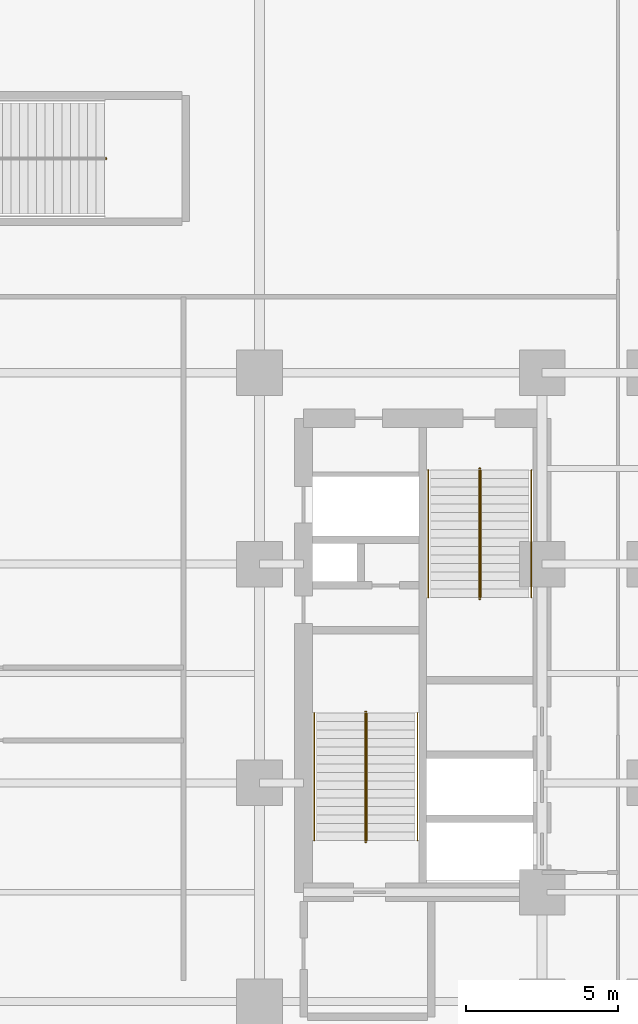
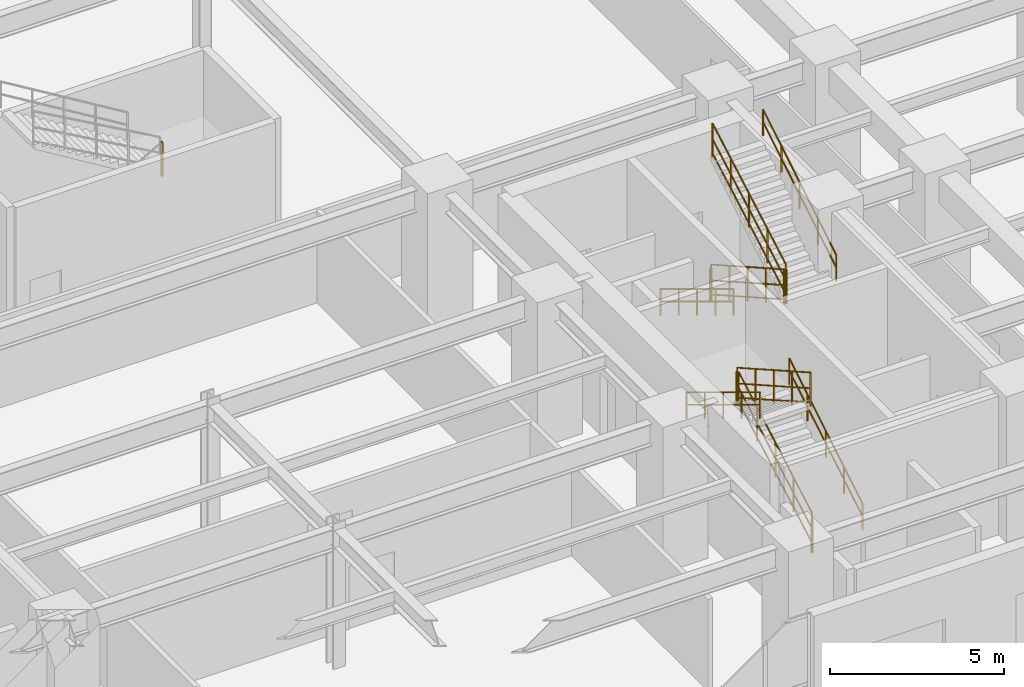
# One storey, part 22 of 23: 13 railings.
"""IFC4 building model written with IfcOpenShell, lengths in metres."""

from ifc_helpers import new_model, entity, si_unit, converted_unit, direction, frame, origin_with_axes, origin_2d_with_axis, place, context, subcontext, project, spatial, rectangle, circle, extrude, material, type_object, element, save


model = new_model("IFC4")

# Units and contexts
model_context = context("Model", 3, precision=1e-05, world=origin_with_axes(), true_north=direction((0.0, 1.0)))
body_context = subcontext(model_context, "Body", "Model", "MODEL_VIEW")
ifc_project = project(units=[si_unit("LENGTHUNIT", "METRE"), si_unit("AREAUNIT", "SQUARE_METRE"), si_unit("VOLUMEUNIT", "CUBIC_METRE"), converted_unit("PLANEANGLEUNIT", "DEGREE", entity("IfcPlaneAngleMeasure", 0.017453292519943295), si_unit("PLANEANGLEUNIT", "RADIAN"), dimensions=[0, 0, 0, 0, 0, 0, 0]), si_unit("MASSUNIT", "GRAM", prefix="KILO"), si_unit("THERMODYNAMICTEMPERATUREUNIT", "KELVIN")], contexts=[model_context])

# Site, building, storey
site_placement = place(None, origin_with_axes())
site = spatial("IfcSite", under=ifc_project, at=site_placement, CompositionType="ELEMENT")
building_placement = place(site_placement, origin_with_axes())
building = spatial("IfcBuilding", under=site, at=building_placement, Name="Varnlund Millrace Tower", CompositionType="ELEMENT")
storey_placement = place(building_placement, frame((0.0, 0.0, 5.7), z_axis=(0.0, 0.0, 1.0), x_axis=(1.0, 0.0, 0.0)))
storey = spatial("IfcBuildingStorey", under=building, at=storey_placement, Name="L01", CompositionType="ELEMENT", Elevation=5.7)

# Railings
ifc_material_1 = material(Name="Painted steel stair well balustrade guard", Category="steel")
railing_type_1 = type_object("IfcRailingType", Name="Type-StairGuard-1150", PredefinedType="GUARDRAIL", material=ifc_material_1)
railing_1_placement = place(storey_placement, frame((0.0, 0.0, -5.7), z_axis=(0.0, 0.0, 1.0), x_axis=(1.0, 0.0, 0.0)))
element("IfcRailing", 1, at=railing_1_placement, inside=storey, type_object=railing_type_1, Name="Type-StairGuard-1150", PredefinedType="GUARDRAIL", context=body_context, shape_type="SweptSolid", body=[
    extrude(circle(Radius=0.024, at=origin_2d_with_axis()), frame((42.275, 8.9, 7.02), z_axis=(0.0, 0.870022, 0.493013), x_axis=(-1.0, 0.0, 0.0)), (0.0, 0.0, 1.0), 4.827463),
    extrude(circle(Radius=0.024, at=origin_2d_with_axis()), frame((42.275, 8.9, 5.97), z_axis=(0.0, 0.870022, 0.493013), x_axis=(-1.0, 0.0, 0.0)), (0.0, 0.0, 1.0), 4.827463),
    extrude(circle(Radius=0.024, at=origin_2d_with_axis()), frame((42.275, 8.9, 6.468), z_axis=(0.0, 0.870022, 0.493013), x_axis=(-1.0, 0.0, 0.0)), (0.0, 0.0, 1.0), 4.827463),
    extrude(rectangle(XDim=0.04, YDim=0.04, at=origin_2d_with_axis()), frame((42.275, 8.9, 5.83), z_axis=(0.0, 0.0, 1.0), x_axis=(1.0, 0.0, 0.0)), (0.0, 0.0, 1.0), 1.19),
    extrude(rectangle(XDim=0.04, YDim=0.04, at=origin_2d_with_axis()), frame((42.275, 9.95, 6.425), z_axis=(0.0, 0.0, 1.0), x_axis=(1.0, 0.0, 0.0)), (0.0, 0.0, 1.0), 1.19),
    extrude(rectangle(XDim=0.04, YDim=0.04, at=origin_2d_with_axis()), frame((42.275, 11.0, 7.02), z_axis=(0.0, 0.0, 1.0), x_axis=(1.0, 0.0, 0.0)), (0.0, 0.0, 1.0), 1.19),
    extrude(rectangle(XDim=0.04, YDim=0.04, at=origin_2d_with_axis()), frame((42.275, 12.05, 7.615), z_axis=(0.0, 0.0, 1.0), x_axis=(1.0, 0.0, 0.0)), (0.0, 0.0, 1.0), 1.19),
    extrude(rectangle(XDim=0.04, YDim=0.04, at=origin_2d_with_axis()), frame((42.275, 13.1, 8.21), z_axis=(0.0, 0.0, 1.0), x_axis=(1.0, 0.0, 0.0)), (0.0, 0.0, 1.0), 1.19),
])
railing_2_placement = place(storey_placement, frame((0.0, 0.0, -5.7), z_axis=(0.0, 0.0, 1.0), x_axis=(1.0, 0.0, 0.0)))
element("IfcRailing", 2, at=railing_2_placement, inside=storey, type_object=railing_type_1, Name="Type-StairGuard-1150", PredefinedType="GUARDRAIL", context=body_context, shape_type="SweptSolid", body=[
    extrude(circle(Radius=0.024, at=origin_2d_with_axis()), frame((42.225, 13.15, 9.4), z_axis=(1.0, 0.0, 0.0), x_axis=(0.0, 1.0, 0.0)), (0.0, 0.0, 1.0), 0.05),
    extrude(circle(Radius=0.024, at=origin_2d_with_axis()), frame((42.225, 13.15, 8.35), z_axis=(1.0, 0.0, 0.0), x_axis=(0.0, 1.0, 0.0)), (0.0, 0.0, 1.0), 0.05),
    extrude(circle(Radius=0.024, at=origin_2d_with_axis()), frame((42.225, 13.15, 8.848), z_axis=(1.0, 0.0, 0.0), x_axis=(0.0, 1.0, 0.0)), (0.0, 0.0, 1.0), 0.05),
    extrude(rectangle(XDim=0.04, YDim=0.04, at=origin_2d_with_axis()), frame((42.225, 13.15, 8.21), z_axis=(0.0, 0.0, 1.0), x_axis=(1.0, 0.0, 0.0)), (0.0, 0.0, 1.0), 1.19),
    extrude(rectangle(XDim=0.04, YDim=0.04, at=origin_2d_with_axis()), frame((42.275, 13.15, 8.21), z_axis=(0.0, 0.0, 1.0), x_axis=(1.0, 0.0, 0.0)), (0.0, 0.0, 1.0), 1.19),
])
railing_3_placement = place(storey_placement, frame((0.0, 0.0, -5.7), z_axis=(0.0, 0.0, 1.0), x_axis=(1.0, 0.0, 0.0)))
element("IfcRailing", 3, at=railing_3_placement, inside=storey, type_object=railing_type_1, Name="Type-StairGuard-1150", PredefinedType="GUARDRAIL", context=body_context, shape_type="SweptSolid", body=[
    extrude(circle(Radius=0.024, at=origin_2d_with_axis()), frame((42.225, 13.1, 9.57), z_axis=(0.0, -0.870022, 0.493013), x_axis=(1.0, 0.0, 0.0)), (0.0, 0.0, 1.0), 4.827463),
    extrude(circle(Radius=0.024, at=origin_2d_with_axis()), frame((42.225, 13.1, 8.52), z_axis=(0.0, -0.870022, 0.493013), x_axis=(1.0, 0.0, 0.0)), (0.0, 0.0, 1.0), 4.827463),
    extrude(circle(Radius=0.024, at=origin_2d_with_axis()), frame((42.225, 13.1, 9.018), z_axis=(0.0, -0.870022, 0.493013), x_axis=(1.0, 0.0, 0.0)), (0.0, 0.0, 1.0), 4.827463),
    extrude(rectangle(XDim=0.04, YDim=0.04, at=origin_2d_with_axis()), frame((42.225, 13.1, 8.38), z_axis=(0.0, 0.0, 1.0), x_axis=(1.0, 0.0, 0.0)), (0.0, 0.0, 1.0), 1.19),
    extrude(rectangle(XDim=0.04, YDim=0.04, at=origin_2d_with_axis()), frame((42.225, 12.05, 8.975), z_axis=(0.0, 0.0, 1.0), x_axis=(1.0, 0.0, 0.0)), (0.0, 0.0, 1.0), 1.19),
    extrude(rectangle(XDim=0.04, YDim=0.04, at=origin_2d_with_axis()), frame((42.225, 11.0, 9.57), z_axis=(0.0, 0.0, 1.0), x_axis=(1.0, 0.0, 0.0)), (0.0, 0.0, 1.0), 1.19),
    extrude(rectangle(XDim=0.04, YDim=0.04, at=origin_2d_with_axis()), frame((42.225, 9.95, 10.165), z_axis=(0.0, 0.0, 1.0), x_axis=(1.0, 0.0, 0.0)), (0.0, 0.0, 1.0), 1.19),
    extrude(rectangle(XDim=0.04, YDim=0.04, at=origin_2d_with_axis()), frame((42.225, 8.9, 10.76), z_axis=(0.0, 0.0, 1.0), x_axis=(1.0, 0.0, 0.0)), (0.0, 0.0, 1.0), 1.19),
])
railing_4_placement = place(storey_placement, frame((0.0, 0.0, -5.7), z_axis=(0.0, 0.0, 1.0), x_axis=(1.0, 0.0, 0.0)))
element("IfcRailing", 4, at=railing_4_placement, inside=storey, type_object=railing_type_1, Name="Type-StairGuard-1150", PredefinedType="GUARDRAIL", context=body_context, shape_type="SweptSolid", body=[
    extrude(circle(Radius=0.024, at=origin_2d_with_axis()), frame((42.225, 8.85, 6.85), z_axis=(1.0, 0.0, 0.0), x_axis=(0.0, 1.0, 0.0)), (0.0, 0.0, 1.0), 0.05),
    extrude(circle(Radius=0.024, at=origin_2d_with_axis()), frame((42.225, 8.85, 5.8), z_axis=(1.0, 0.0, 0.0), x_axis=(0.0, 1.0, 0.0)), (0.0, 0.0, 1.0), 0.05),
    extrude(circle(Radius=0.024, at=origin_2d_with_axis()), frame((42.225, 8.85, 6.298), z_axis=(1.0, 0.0, 0.0), x_axis=(0.0, 1.0, 0.0)), (0.0, 0.0, 1.0), 0.05),
    extrude(rectangle(XDim=0.04, YDim=0.04, at=origin_2d_with_axis()), frame((42.225, 8.85, 5.66), z_axis=(0.0, 0.0, 1.0), x_axis=(1.0, 0.0, 0.0)), (0.0, 0.0, 1.0), 1.19),
    extrude(rectangle(XDim=0.04, YDim=0.04, at=origin_2d_with_axis()), frame((42.275, 8.85, 5.66), z_axis=(0.0, 0.0, 1.0), x_axis=(1.0, 0.0, 0.0)), (0.0, 0.0, 1.0), 1.19),
])
railing_5_placement = place(storey_placement, frame((0.0, 0.0, -5.7), z_axis=(0.0, 0.0, 1.0), x_axis=(1.0, 0.0, 0.0)))
element("IfcRailing", 5, at=railing_5_placement, inside=storey, type_object=railing_type_1, Name="Type-StairGuard-1150", PredefinedType="GUARDRAIL", context=body_context, shape_type="SweptSolid", body=[
    extrude(circle(Radius=0.024, at=origin_2d_with_axis()), frame((45.975, 21.1, 7.02), z_axis=(0.0, -0.870022, 0.493013), x_axis=(1.0, 0.0, 0.0)), (0.0, 0.0, 1.0), 4.827463),
    extrude(circle(Radius=0.024, at=origin_2d_with_axis()), frame((45.975, 21.1, 5.97), z_axis=(0.0, -0.870022, 0.493013), x_axis=(1.0, 0.0, 0.0)), (0.0, 0.0, 1.0), 4.827463),
    extrude(circle(Radius=0.024, at=origin_2d_with_axis()), frame((45.975, 21.1, 6.468), z_axis=(0.0, -0.870022, 0.493013), x_axis=(1.0, 0.0, 0.0)), (0.0, 0.0, 1.0), 4.827463),
    extrude(rectangle(XDim=0.04, YDim=0.04, at=origin_2d_with_axis()), frame((45.975, 21.1, 5.83), z_axis=(0.0, 0.0, 1.0), x_axis=(1.0, 0.0, 0.0)), (0.0, 0.0, 1.0), 1.19),
    extrude(rectangle(XDim=0.04, YDim=0.04, at=origin_2d_with_axis()), frame((45.975, 20.05, 6.425), z_axis=(0.0, 0.0, 1.0), x_axis=(1.0, 0.0, 0.0)), (0.0, 0.0, 1.0), 1.19),
    extrude(rectangle(XDim=0.04, YDim=0.04, at=origin_2d_with_axis()), frame((45.975, 19.0, 7.02), z_axis=(0.0, 0.0, 1.0), x_axis=(1.0, 0.0, 0.0)), (0.0, 0.0, 1.0), 1.19),
    extrude(rectangle(XDim=0.04, YDim=0.04, at=origin_2d_with_axis()), frame((45.975, 17.95, 7.615), z_axis=(0.0, 0.0, 1.0), x_axis=(1.0, 0.0, 0.0)), (0.0, 0.0, 1.0), 1.19),
    extrude(rectangle(XDim=0.04, YDim=0.04, at=origin_2d_with_axis()), frame((45.975, 16.9, 8.21), z_axis=(0.0, 0.0, 1.0), x_axis=(1.0, 0.0, 0.0)), (0.0, 0.0, 1.0), 1.19),
])
railing_6_placement = place(storey_placement, frame((0.0, 0.0, -5.7), z_axis=(0.0, 0.0, 1.0), x_axis=(1.0, 0.0, 0.0)))
element("IfcRailing", 6, at=railing_6_placement, inside=storey, type_object=railing_type_1, Name="Type-StairGuard-1150", PredefinedType="GUARDRAIL", context=body_context, shape_type="SweptSolid", body=[
    extrude(circle(Radius=0.024, at=origin_2d_with_axis()), frame((46.025, 16.85, 9.4), z_axis=(-1.0, 0.0, 0.0), x_axis=(0.0, -1.0, 0.0)), (0.0, 0.0, 1.0), 0.05),
    extrude(circle(Radius=0.024, at=origin_2d_with_axis()), frame((46.025, 16.85, 8.35), z_axis=(-1.0, 0.0, 0.0), x_axis=(0.0, -1.0, 0.0)), (0.0, 0.0, 1.0), 0.05),
    extrude(circle(Radius=0.024, at=origin_2d_with_axis()), frame((46.025, 16.85, 8.848), z_axis=(-1.0, 0.0, 0.0), x_axis=(0.0, -1.0, 0.0)), (0.0, 0.0, 1.0), 0.05),
    extrude(rectangle(XDim=0.04, YDim=0.04, at=origin_2d_with_axis()), frame((46.025, 16.85, 8.21), z_axis=(0.0, 0.0, 1.0), x_axis=(1.0, 0.0, 0.0)), (0.0, 0.0, 1.0), 1.19),
    extrude(rectangle(XDim=0.04, YDim=0.04, at=origin_2d_with_axis()), frame((45.975, 16.85, 8.21), z_axis=(0.0, 0.0, 1.0), x_axis=(1.0, 0.0, 0.0)), (0.0, 0.0, 1.0), 1.19),
])
railing_7_placement = place(storey_placement, frame((0.0, 0.0, -5.7), z_axis=(0.0, 0.0, 1.0), x_axis=(1.0, 0.0, 0.0)))
element("IfcRailing", 7, at=railing_7_placement, inside=storey, type_object=railing_type_1, Name="Type-StairGuard-1150", PredefinedType="GUARDRAIL", context=body_context, shape_type="SweptSolid", body=[
    extrude(circle(Radius=0.024, at=origin_2d_with_axis()), frame((46.025, 16.9, 9.57), z_axis=(0.0, 0.870022, 0.493013), x_axis=(-1.0, 0.0, 0.0)), (0.0, 0.0, 1.0), 4.827463),
    extrude(circle(Radius=0.024, at=origin_2d_with_axis()), frame((46.025, 16.9, 8.52), z_axis=(0.0, 0.870022, 0.493013), x_axis=(-1.0, 0.0, 0.0)), (0.0, 0.0, 1.0), 4.827463),
    extrude(circle(Radius=0.024, at=origin_2d_with_axis()), frame((46.025, 16.9, 9.018), z_axis=(0.0, 0.870022, 0.493013), x_axis=(-1.0, 0.0, 0.0)), (0.0, 0.0, 1.0), 4.827463),
    extrude(rectangle(XDim=0.04, YDim=0.04, at=origin_2d_with_axis()), frame((46.025, 16.9, 8.38), z_axis=(0.0, 0.0, 1.0), x_axis=(1.0, 0.0, 0.0)), (0.0, 0.0, 1.0), 1.19),
    extrude(rectangle(XDim=0.04, YDim=0.04, at=origin_2d_with_axis()), frame((46.025, 17.95, 8.975), z_axis=(0.0, 0.0, 1.0), x_axis=(1.0, 0.0, 0.0)), (0.0, 0.0, 1.0), 1.19),
    extrude(rectangle(XDim=0.04, YDim=0.04, at=origin_2d_with_axis()), frame((46.025, 19.0, 9.57), z_axis=(0.0, 0.0, 1.0), x_axis=(1.0, 0.0, 0.0)), (0.0, 0.0, 1.0), 1.19),
    extrude(rectangle(XDim=0.04, YDim=0.04, at=origin_2d_with_axis()), frame((46.025, 20.05, 10.165), z_axis=(0.0, 0.0, 1.0), x_axis=(1.0, 0.0, 0.0)), (0.0, 0.0, 1.0), 1.19),
    extrude(rectangle(XDim=0.04, YDim=0.04, at=origin_2d_with_axis()), frame((46.025, 21.1, 10.76), z_axis=(0.0, 0.0, 1.0), x_axis=(1.0, 0.0, 0.0)), (0.0, 0.0, 1.0), 1.19),
])
railing_8_placement = place(storey_placement, frame((0.0, 0.0, -5.7), z_axis=(0.0, 0.0, 1.0), x_axis=(1.0, 0.0, 0.0)))
element("IfcRailing", 8, at=railing_8_placement, inside=storey, type_object=railing_type_1, Name="Type-StairGuard-1150", PredefinedType="GUARDRAIL", context=body_context, shape_type="SweptSolid", body=[
    extrude(circle(Radius=0.024, at=origin_2d_with_axis()), frame((46.025, 21.15, 6.85), z_axis=(-1.0, 0.0, 0.0), x_axis=(0.0, -1.0, 0.0)), (0.0, 0.0, 1.0), 0.05),
    extrude(circle(Radius=0.024, at=origin_2d_with_axis()), frame((46.025, 21.15, 5.8), z_axis=(-1.0, 0.0, 0.0), x_axis=(0.0, -1.0, 0.0)), (0.0, 0.0, 1.0), 0.05),
    extrude(circle(Radius=0.024, at=origin_2d_with_axis()), frame((46.025, 21.15, 6.298), z_axis=(-1.0, 0.0, 0.0), x_axis=(0.0, -1.0, 0.0)), (0.0, 0.0, 1.0), 0.05),
    extrude(rectangle(XDim=0.04, YDim=0.04, at=origin_2d_with_axis()), frame((46.025, 21.15, 5.66), z_axis=(0.0, 0.0, 1.0), x_axis=(1.0, 0.0, 0.0)), (0.0, 0.0, 1.0), 1.19),
    extrude(rectangle(XDim=0.04, YDim=0.04, at=origin_2d_with_axis()), frame((45.975, 21.15, 5.66), z_axis=(0.0, 0.0, 1.0), x_axis=(1.0, 0.0, 0.0)), (0.0, 0.0, 1.0), 1.19),
])
railing_9_placement = place(storey_placement, frame((0.0, 0.0, -5.7), z_axis=(0.0, 0.0, 1.0), x_axis=(1.0, 0.0, 0.0)))
element("IfcRailing", 9, at=railing_9_placement, inside=storey, type_object=railing_type_1, Name="Type-StairGuard-1150", PredefinedType="GUARDRAIL", context=body_context, shape_type="SweptSolid", body=[
    extrude(circle(Radius=0.024, at=origin_2d_with_axis()), frame((33.7, 31.375, 9.4), z_axis=(0.0, -1.0, 0.0), x_axis=(1.0, 0.0, 0.0)), (0.0, 0.0, 1.0), 0.05),
    extrude(circle(Radius=0.024, at=origin_2d_with_axis()), frame((33.7, 31.375, 8.35), z_axis=(0.0, -1.0, 0.0), x_axis=(1.0, 0.0, 0.0)), (0.0, 0.0, 1.0), 0.05),
    extrude(circle(Radius=0.024, at=origin_2d_with_axis()), frame((33.7, 31.375, 8.848), z_axis=(0.0, -1.0, 0.0), x_axis=(1.0, 0.0, 0.0)), (0.0, 0.0, 1.0), 0.05),
    extrude(rectangle(XDim=0.04, YDim=0.04, at=origin_2d_with_axis()), frame((33.7, 31.375, 8.21), z_axis=(0.0, 0.0, 1.0), x_axis=(1.0, 0.0, 0.0)), (0.0, 0.0, 1.0), 1.19),
    extrude(rectangle(XDim=0.04, YDim=0.04, at=origin_2d_with_axis()), frame((33.7, 31.325, 8.21), z_axis=(0.0, 0.0, 1.0), x_axis=(1.0, 0.0, 0.0)), (0.0, 0.0, 1.0), 1.19),
])
ifc_material_2 = material(Name="Brushed architectural bronze stair handrail", Category="aluminium")
railing_type_2 = type_object("IfcRailingType", Name="Type-StairHandrail-900", PredefinedType="HANDRAIL", material=ifc_material_2)
railing_10_placement = place(storey_placement, frame((0.0, 0.0, -5.7), z_axis=(0.0, 0.0, 1.0), x_axis=(1.0, 0.0, 0.0)))
element("IfcRailing", 10, at=railing_10_placement, inside=storey, type_object=railing_type_2, Name="Type-StairHandrail-900", PredefinedType="HANDRAIL", context=body_context, shape_type="SweptSolid", body=[
    extrude(circle(Radius=0.024, at=origin_2d_with_axis()), frame((43.95, 8.9, 6.749485), z_axis=(0.0, 0.854788, 0.518978), x_axis=(-1.0, 0.0, 0.0)), (0.0, 0.0, 1.0), 4.913502),
    extrude(circle(Radius=0.024, at=origin_2d_with_axis()), frame((43.95, 8.9, 6.309743), z_axis=(0.0, 0.854788, 0.518978), x_axis=(-1.0, 0.0, 0.0)), (0.0, 0.0, 1.0), 4.913502),
    extrude(rectangle(XDim=0.04, YDim=0.04, at=origin_2d_with_axis()), frame((43.95, 8.9, 5.83), z_axis=(0.0, 0.0, 1.0), x_axis=(1.0, 0.0, 0.0)), (0.0, 0.0, 1.0), 0.919485),
    extrude(rectangle(XDim=0.04, YDim=0.04, at=origin_2d_with_axis()), frame((43.95, 9.95, 6.4675), z_axis=(0.0, 0.0, 1.0), x_axis=(1.0, 0.0, 0.0)), (0.0, 0.0, 1.0), 0.919485),
    extrude(rectangle(XDim=0.04, YDim=0.04, at=origin_2d_with_axis()), frame((43.95, 11.0, 7.105), z_axis=(0.0, 0.0, 1.0), x_axis=(1.0, 0.0, 0.0)), (0.0, 0.0, 1.0), 0.919485),
    extrude(rectangle(XDim=0.04, YDim=0.04, at=origin_2d_with_axis()), frame((43.95, 12.05, 7.7425), z_axis=(0.0, 0.0, 1.0), x_axis=(1.0, 0.0, 0.0)), (0.0, 0.0, 1.0), 0.919485),
    extrude(rectangle(XDim=0.04, YDim=0.04, at=origin_2d_with_axis()), frame((43.95, 13.1, 8.38), z_axis=(0.0, 0.0, 1.0), x_axis=(1.0, 0.0, 0.0)), (0.0, 0.0, 1.0), 0.919485),
])
railing_11_placement = place(storey_placement, frame((0.0, 0.0, -5.7), z_axis=(0.0, 0.0, 1.0), x_axis=(1.0, 0.0, 0.0)))
element("IfcRailing", 11, at=railing_11_placement, inside=storey, type_object=railing_type_2, Name="Type-StairHandrail-900", PredefinedType="HANDRAIL", context=body_context, shape_type="SweptSolid", body=[
    extrude(circle(Radius=0.024, at=origin_2d_with_axis()), frame((40.55, 13.1, 9.299485), z_axis=(0.0, -0.854788, 0.518978), x_axis=(1.0, 0.0, 0.0)), (0.0, 0.0, 1.0), 4.913502),
    extrude(circle(Radius=0.024, at=origin_2d_with_axis()), frame((40.55, 13.1, 8.859743), z_axis=(0.0, -0.854788, 0.518978), x_axis=(1.0, 0.0, 0.0)), (0.0, 0.0, 1.0), 4.913502),
    extrude(rectangle(XDim=0.04, YDim=0.04, at=origin_2d_with_axis()), frame((40.55, 13.1, 8.38), z_axis=(0.0, 0.0, 1.0), x_axis=(1.0, 0.0, 0.0)), (0.0, 0.0, 1.0), 0.919485),
    extrude(rectangle(XDim=0.04, YDim=0.04, at=origin_2d_with_axis()), frame((40.55, 12.05, 9.0175), z_axis=(0.0, 0.0, 1.0), x_axis=(1.0, 0.0, 0.0)), (0.0, 0.0, 1.0), 0.919485),
    extrude(rectangle(XDim=0.04, YDim=0.04, at=origin_2d_with_axis()), frame((40.55, 11.0, 9.655), z_axis=(0.0, 0.0, 1.0), x_axis=(1.0, 0.0, 0.0)), (0.0, 0.0, 1.0), 0.919485),
    extrude(rectangle(XDim=0.04, YDim=0.04, at=origin_2d_with_axis()), frame((40.55, 9.95, 10.2925), z_axis=(0.0, 0.0, 1.0), x_axis=(1.0, 0.0, 0.0)), (0.0, 0.0, 1.0), 0.919485),
    extrude(rectangle(XDim=0.04, YDim=0.04, at=origin_2d_with_axis()), frame((40.55, 8.9, 10.93), z_axis=(0.0, 0.0, 1.0), x_axis=(1.0, 0.0, 0.0)), (0.0, 0.0, 1.0), 0.919485),
])
railing_12_placement = place(storey_placement, frame((0.0, 0.0, -5.7), z_axis=(0.0, 0.0, 1.0), x_axis=(1.0, 0.0, 0.0)))
element("IfcRailing", 12, at=railing_12_placement, inside=storey, type_object=railing_type_2, Name="Type-StairHandrail-900", PredefinedType="HANDRAIL", context=body_context, shape_type="SweptSolid", body=[
    extrude(circle(Radius=0.024, at=origin_2d_with_axis()), frame((44.3, 21.1, 6.749485), z_axis=(0.0, -0.854788, 0.518978), x_axis=(1.0, 0.0, 0.0)), (0.0, 0.0, 1.0), 4.913502),
    extrude(circle(Radius=0.024, at=origin_2d_with_axis()), frame((44.3, 21.1, 6.309743), z_axis=(0.0, -0.854788, 0.518978), x_axis=(1.0, 0.0, 0.0)), (0.0, 0.0, 1.0), 4.913502),
    extrude(rectangle(XDim=0.04, YDim=0.04, at=origin_2d_with_axis()), frame((44.3, 21.1, 5.83), z_axis=(0.0, 0.0, 1.0), x_axis=(1.0, 0.0, 0.0)), (0.0, 0.0, 1.0), 0.919485),
    extrude(rectangle(XDim=0.04, YDim=0.04, at=origin_2d_with_axis()), frame((44.3, 20.05, 6.4675), z_axis=(0.0, 0.0, 1.0), x_axis=(1.0, 0.0, 0.0)), (0.0, 0.0, 1.0), 0.919485),
    extrude(rectangle(XDim=0.04, YDim=0.04, at=origin_2d_with_axis()), frame((44.3, 19.0, 7.105), z_axis=(0.0, 0.0, 1.0), x_axis=(1.0, 0.0, 0.0)), (0.0, 0.0, 1.0), 0.919485),
    extrude(rectangle(XDim=0.04, YDim=0.04, at=origin_2d_with_axis()), frame((44.3, 17.95, 7.7425), z_axis=(0.0, 0.0, 1.0), x_axis=(1.0, 0.0, 0.0)), (0.0, 0.0, 1.0), 0.919485),
    extrude(rectangle(XDim=0.04, YDim=0.04, at=origin_2d_with_axis()), frame((44.3, 16.9, 8.38), z_axis=(0.0, 0.0, 1.0), x_axis=(1.0, 0.0, 0.0)), (0.0, 0.0, 1.0), 0.919485),
])
railing_13_placement = place(storey_placement, frame((0.0, 0.0, -5.7), z_axis=(0.0, 0.0, 1.0), x_axis=(1.0, 0.0, 0.0)))
element("IfcRailing", 13, at=railing_13_placement, inside=storey, type_object=railing_type_2, Name="Type-StairHandrail-900", PredefinedType="HANDRAIL", context=body_context, shape_type="SweptSolid", body=[
    extrude(circle(Radius=0.024, at=origin_2d_with_axis()), frame((47.7, 16.9, 9.299485), z_axis=(0.0, 0.854788, 0.518978), x_axis=(-1.0, 0.0, 0.0)), (0.0, 0.0, 1.0), 4.913502),
    extrude(circle(Radius=0.024, at=origin_2d_with_axis()), frame((47.7, 16.9, 8.859743), z_axis=(0.0, 0.854788, 0.518978), x_axis=(-1.0, 0.0, 0.0)), (0.0, 0.0, 1.0), 4.913502),
    extrude(rectangle(XDim=0.04, YDim=0.04, at=origin_2d_with_axis()), frame((47.7, 16.9, 8.38), z_axis=(0.0, 0.0, 1.0), x_axis=(1.0, 0.0, 0.0)), (0.0, 0.0, 1.0), 0.919485),
    extrude(rectangle(XDim=0.04, YDim=0.04, at=origin_2d_with_axis()), frame((47.7, 17.95, 9.0175), z_axis=(0.0, 0.0, 1.0), x_axis=(1.0, 0.0, 0.0)), (0.0, 0.0, 1.0), 0.919485),
    extrude(rectangle(XDim=0.04, YDim=0.04, at=origin_2d_with_axis()), frame((47.7, 19.0, 9.655), z_axis=(0.0, 0.0, 1.0), x_axis=(1.0, 0.0, 0.0)), (0.0, 0.0, 1.0), 0.919485),
    extrude(rectangle(XDim=0.04, YDim=0.04, at=origin_2d_with_axis()), frame((47.7, 20.05, 10.2925), z_axis=(0.0, 0.0, 1.0), x_axis=(1.0, 0.0, 0.0)), (0.0, 0.0, 1.0), 0.919485),
    extrude(rectangle(XDim=0.04, YDim=0.04, at=origin_2d_with_axis()), frame((47.7, 21.1, 10.93), z_axis=(0.0, 0.0, 1.0), x_axis=(1.0, 0.0, 0.0)), (0.0, 0.0, 1.0), 0.919485),
])

save(model, "model.ifc")
